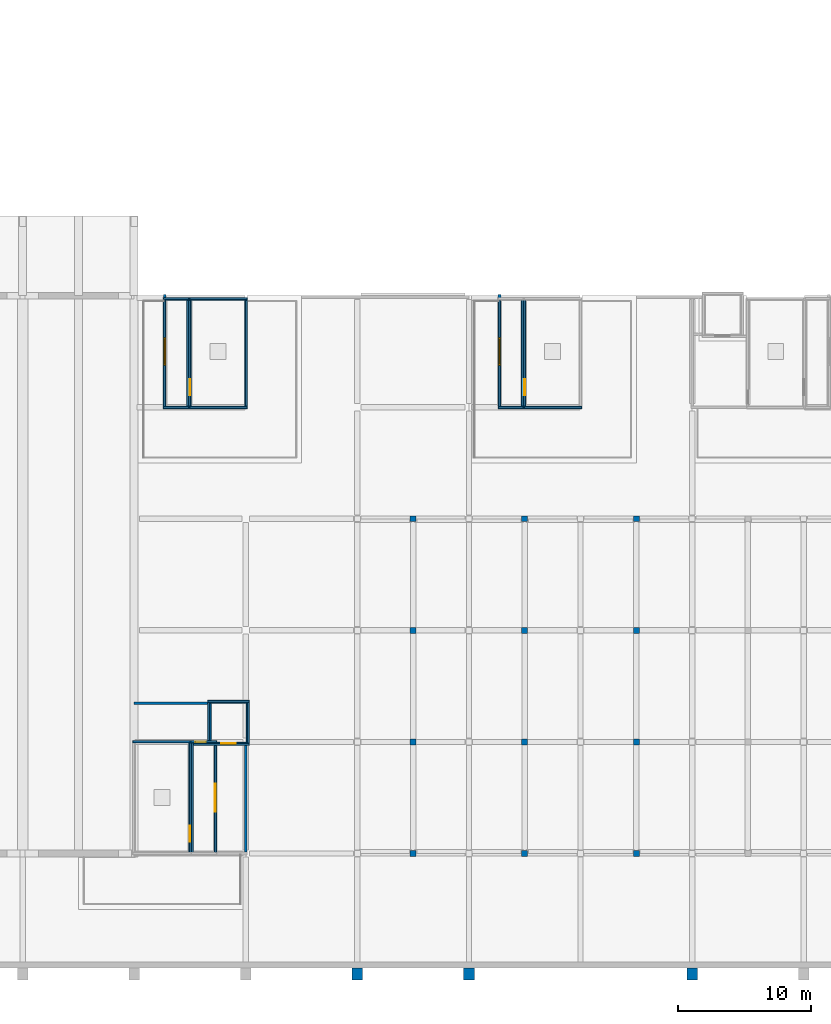
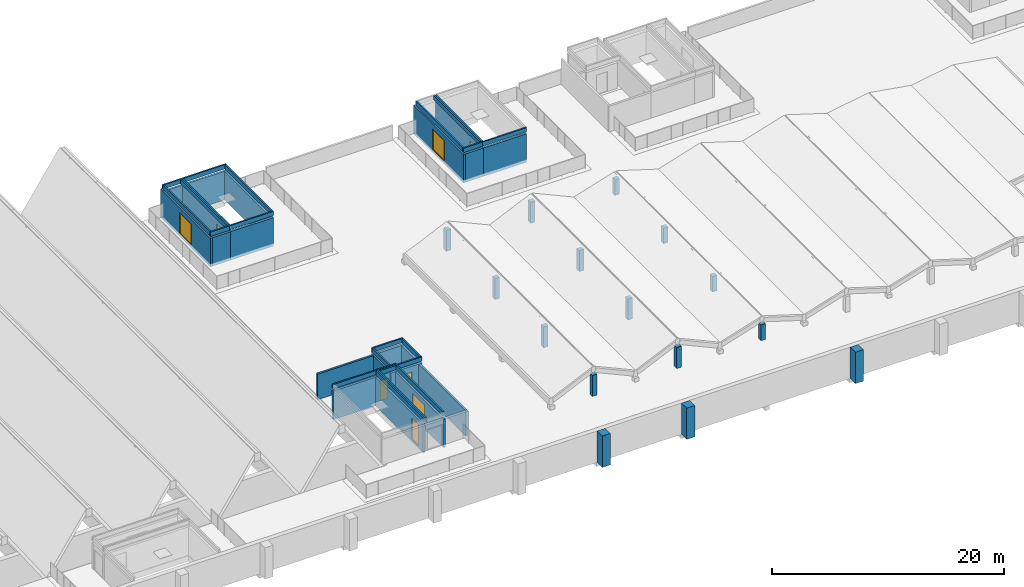
# One storey, part 15 of 24: 58 walls, 8 doors, 8 openings.
"""IFC4 building model written with IfcOpenShell, lengths in metres."""

from ifc_helpers import new_model, si_unit, direction, frame, frame_2d, origin, place, context, subcontext, project, spatial, rectangle, extrude, material, layer, layer_set, type_object, element, fill, save


model = new_model("IFC4")

# Units and contexts
model_context = context("Model", 3, precision=1e-05, world=origin(), true_north=direction((0.0, 1.0)))
body_context = subcontext(model_context, "Body", "Model", "MODEL_VIEW")
ifc_project = project(units=[si_unit("LENGTHUNIT", "METRE"), si_unit("AREAUNIT", "SQUARE_METRE"), si_unit("VOLUMEUNIT", "CUBIC_METRE"), si_unit("PLANEANGLEUNIT", "RADIAN"), si_unit("MASSUNIT", "GRAM", prefix="KILO")], contexts=[model_context])

# Site, building, storey
site_placement = place(None, origin())
site = spatial("IfcSite", under=ifc_project, at=site_placement, CompositionType="ELEMENT")
building_placement = place(site_placement, origin())
building = spatial("IfcBuilding", under=site, at=building_placement, Name="Rulbaag Community and Learning Centre", CompositionType="ELEMENT")
storey_placement = place(building_placement, frame((0.0, 0.0, 14.39990234375)))
storey = spatial("IfcBuildingStorey", under=building, at=storey_placement, Name="L03", CompositionType="ELEMENT", Elevation=14.39990234375)

# Walls
ifc_material_1 = material(Name="Concrete M40", Category="concrete")
ifc_layer_1 = layer(ifc_material_1, 0.800048828125)
ifc_layer_set_1 = layer_set([ifc_layer_1], Name="EW-BTR")
wall_type_1 = type_object("IfcWallType", Name="EW-BTR", PredefinedType="SOLIDWALL", material=ifc_layer_set_1)
for number, where, z_axis, x_axis, name in (
    (1, (100.800048828125, -0.22509765625, -0.2998046875), (0.0, 0.0, 1.0), (0.0, -1.0, 0.0), "Buttress pier"),
    (2, (109.199951171875, -0.22509765625, -0.2998046875), (0.0, 0.0, 1.0), (0.0, -1.0, 0.0), "Buttress pier"),
    (3, (126.0, -0.22509765625, -0.2998046875), (0.0, 0.0, 1.0), (0.0, -1.0, 0.0), "Buttress pier"),
):
    element("IfcWall", number, at=place(storey_placement, frame(where, z_axis=z_axis, x_axis=x_axis)), inside=storey, type_object=wall_type_1, Name=name, PredefinedType="SOLIDWALL", context=body_context, shape_type="SweptSolid", body=[
        extrude(rectangle(XDim=0.89990234375, YDim=0.800048828125, at=frame_2d((0.449951171875, 0.0))), origin(), (0.0, 0.0, 1.0), 3.2998046875),
    ])
ifc_layer_2 = layer(ifc_material_1, 0.14990234375)
ifc_layer_set_2 = layer_set([ifc_layer_2], Name="EW-PAR150")
wall_type_2 = type_object("IfcWallType", Name="EW-PAR150", PredefinedType="PARAPET", material=ifc_layer_set_2)
wall_1_placement = place(storey_placement, frame((83.89990234375, 16.824951171875, 2.900146484375), z_axis=(0.0, 0.0, 1.0), x_axis=(1.0, 0.0, 0.0)))
element("IfcWall", 4, at=wall_1_placement, inside=storey, type_object=wall_type_2, Name="Precast concrete roof upstand with drip nose, head house roofs", PredefinedType="PARAPET", context=body_context, shape_type="SweptSolid", body=[
    extrude(rectangle(XDim=4.400146484375, YDim=0.14990234375, at=frame_2d((2.2001953125, 0.0))), origin(), (0.0, 0.0, 1.0), 0.449951171875),
])
wall_2_placement = place(storey_placement, frame((88.22509765625, 8.449951171875, 2.900146484375), z_axis=(0.0, 0.0, 1.0), x_axis=(0.0, 1.0, 0.0)))
element("IfcWall", 5, at=wall_2_placement, inside=storey, type_object=wall_type_2, Name="Precast concrete roof upstand with drip nose, head house roofs", PredefinedType="PARAPET", context=body_context, shape_type="SweptSolid", body=[
    extrude(rectangle(XDim=8.300048828125, YDim=0.14990234375, at=frame_2d((4.14990234375, 0.0))), origin(), (0.0, 0.0, 1.0), 0.449951171875),
])
wall_3_placement = place(storey_placement, frame((88.300048828125, 16.824951171875, 2.900146484375), z_axis=(0.0, 0.0, 1.0), x_axis=(1.0, 0.0, 0.0)))
element("IfcWall", 6, at=wall_3_placement, inside=storey, type_object=wall_type_2, Name="Precast concrete roof upstand with drip nose, head house roofs", PredefinedType="PARAPET", context=body_context, shape_type="SweptSolid", body=[
    extrude(rectangle(XDim=1.89990234375, YDim=0.14990234375, at=frame_2d((0.949951171875, 0.0))), origin(), (0.0, 0.0, 1.0), 0.449951171875),
])
for number, where, z_axis, x_axis, name in (
    (7, (88.375, 8.449951171875, 2.900146484375), (0.0, 0.0, 1.0), (0.0, 1.0, 0.0), "Precast concrete roof upstand with drip nose, head house roofs"),
    (8, (90.125, 8.449951171875, 2.900146484375), (0.0, 0.0, 1.0), (0.0, 1.0, 0.0), "Precast concrete roof upstand with drip nose, head house roofs"),
):
    element("IfcWall", number, at=place(storey_placement, frame(where, z_axis=z_axis, x_axis=x_axis)), inside=storey, type_object=wall_type_2, Name=name, PredefinedType="PARAPET", context=body_context, shape_type="SweptSolid", body=[
        extrude(rectangle(XDim=8.300048828125, YDim=0.14990234375, at=frame_2d((4.14990234375, 0.0))), origin(), (0.0, 0.0, 1.0), 0.449951171875),
    ])
for number, where, z_axis, x_axis, name in (
    (9, (88.10009765625, 41.97509765625, 2.900146484375), (0.0, 0.0, 1.0), (1.0, 0.0, 0.0), "Precast concrete roof upstand with drip nose, head house roofs"),
    (10, (88.10009765625, 50.14990234375, 2.900146484375), (0.0, 0.0, 1.0), (1.0, 0.0, 0.0), "Precast concrete roof upstand with drip nose, head house roofs"),
):
    element("IfcWall", number, at=place(storey_placement, frame(where, z_axis=z_axis, x_axis=x_axis)), inside=storey, type_object=wall_type_2, Name=name, PredefinedType="PARAPET", context=body_context, shape_type="SweptSolid", body=[
        extrude(rectangle(XDim=4.39990234375, YDim=0.14990234375, at=frame_2d((2.199951171875, 0.0))), origin(), (0.0, 0.0, 1.0), 0.449951171875),
    ])
for number, where, z_axis, x_axis, name in (
    (11, (88.175048828125, 42.050048828125, 2.900146484375), (0.0, 0.0, 1.0), (0.0, 1.0, 0.0), "Precast concrete roof upstand with drip nose, head house roofs"),
    (12, (92.425048828125, 42.050048828125, 2.900146484375), (0.0, 0.0, 1.0), (0.0, 1.0, 0.0), "Precast concrete roof upstand with drip nose, head house roofs"),
):
    element("IfcWall", number, at=place(storey_placement, frame(where, z_axis=z_axis, x_axis=x_axis)), inside=storey, type_object=wall_type_2, Name=name, PredefinedType="PARAPET", context=body_context, shape_type="SweptSolid", body=[
        extrude(rectangle(XDim=8.02490234375, YDim=0.14990234375, at=frame_2d((4.012451171875, 0.0))), origin(), (0.0, 0.0, 1.0), 0.449951171875),
    ])
for number, where, z_axis, x_axis, name in (
    (13, (86.199951171875, 41.97509765625, 2.900146484375), (0.0, 0.0, 1.0), (1.0, 0.0, 0.0), "Precast concrete roof upstand with drip nose, head house roofs"),
    (14, (86.199951171875, 50.14990234375, 2.900146484375), (0.0, 0.0, 1.0), (1.0, 0.0, 0.0), "Precast concrete roof upstand with drip nose, head house roofs"),
):
    element("IfcWall", number, at=place(storey_placement, frame(where, z_axis=z_axis, x_axis=x_axis)), inside=storey, type_object=wall_type_2, Name=name, PredefinedType="PARAPET", context=body_context, shape_type="SweptSolid", body=[
        extrude(rectangle(XDim=1.900146484375, YDim=0.14990234375, at=frame_2d((0.9501953125, 0.0))), origin(), (0.0, 0.0, 1.0), 0.449951171875),
    ])
for number, where, z_axis, x_axis, name in (
    (15, (86.27490234375, 42.050048828125, 2.900146484375), (0.0, 0.0, 1.0), (0.0, 1.0, 0.0), "Precast concrete roof upstand with drip nose, head house roofs"),
    (16, (88.02490234375, 42.050048828125, 2.900146484375), (0.0, 0.0, 1.0), (0.0, 1.0, 0.0), "Precast concrete roof upstand with drip nose, head house roofs"),
):
    element("IfcWall", number, at=place(storey_placement, frame(where, z_axis=z_axis, x_axis=x_axis)), inside=storey, type_object=wall_type_2, Name=name, PredefinedType="PARAPET", context=body_context, shape_type="SweptSolid", body=[
        extrude(rectangle(XDim=8.02490234375, YDim=0.14990234375, at=frame_2d((4.012451171875, 0.0))), origin(), (0.0, 0.0, 1.0), 0.449951171875),
    ])
wall_4_placement = place(storey_placement, frame((113.300048828125, 41.97509765625, 2.900146484375), z_axis=(0.0, 0.0, 1.0), x_axis=(1.0, 0.0, 0.0)))
element("IfcWall", 17, at=wall_4_placement, inside=storey, type_object=wall_type_2, Name="Precast concrete roof upstand with drip nose, head house roofs", PredefinedType="PARAPET", context=body_context, shape_type="SweptSolid", body=[
    extrude(rectangle(XDim=4.39990234375, YDim=0.14990234375, at=frame_2d((2.199951171875, 0.0))), origin(), (0.0, 0.0, 1.0), 0.449951171875),
])
wall_5_placement = place(storey_placement, frame((113.375, 42.050048828125, 2.900146484375), z_axis=(0.0, 0.0, 1.0), x_axis=(0.0, 1.0, 0.0)))
element("IfcWall", 18, at=wall_5_placement, inside=storey, type_object=wall_type_2, Name="Precast concrete roof upstand with drip nose, head house roofs", PredefinedType="PARAPET", context=body_context, shape_type="SweptSolid", body=[
    extrude(rectangle(XDim=8.02490234375, YDim=0.14990234375, at=frame_2d((4.012451171875, 0.0))), origin(), (0.0, 0.0, 1.0), 0.449951171875),
])
wall_6_placement = place(storey_placement, frame((111.39990234375, 41.97509765625, 2.900146484375), z_axis=(0.0, 0.0, 1.0), x_axis=(1.0, 0.0, 0.0)))
element("IfcWall", 19, at=wall_6_placement, inside=storey, type_object=wall_type_2, Name="Precast concrete roof upstand with drip nose, head house roofs", PredefinedType="PARAPET", context=body_context, shape_type="SweptSolid", body=[
    extrude(rectangle(XDim=1.900146484375, YDim=0.14990234375, at=frame_2d((0.9501953125, 0.0))), origin(), (0.0, 0.0, 1.0), 0.449951171875),
])
for number, where, z_axis, x_axis, name in (
    (20, (111.47509765625, 42.050048828125, 2.900146484375), (0.0, 0.0, 1.0), (0.0, 1.0, 0.0), "Precast concrete roof upstand with drip nose, head house roofs"),
    (21, (113.22509765625, 42.050048828125, 2.900146484375), (0.0, 0.0, 1.0), (0.0, 1.0, 0.0), "Precast concrete roof upstand with drip nose, head house roofs"),
):
    element("IfcWall", number, at=place(storey_placement, frame(where, z_axis=z_axis, x_axis=x_axis)), inside=storey, type_object=wall_type_2, Name=name, PredefinedType="PARAPET", context=body_context, shape_type="SweptSolid", body=[
        extrude(rectangle(XDim=8.02490234375, YDim=0.14990234375, at=frame_2d((4.012451171875, 0.0))), origin(), (0.0, 0.0, 1.0), 0.449951171875),
    ])
wall_7_placement = place(storey_placement, frame((88.449951171875, 16.625, 2.900146484375), z_axis=(0.0, 0.0, 1.0), x_axis=(1.0, 0.0, 0.0)))
element("IfcWall", 22, at=wall_7_placement, inside=storey, type_object=wall_type_2, Name="Precast concrete roof upstand with drip nose, head house roofs", PredefinedType="PARAPET", context=body_context, shape_type="SweptSolid", body=[
    extrude(rectangle(XDim=4.199951171875, YDim=0.14990234375, at=frame_2d((2.10009765625, 0.0))), origin(), (0.0, 0.0, 1.0), 0.449951171875),
])
wall_8_placement = place(storey_placement, frame((89.550048828125, 19.875, 2.900146484375), z_axis=(0.0, 0.0, 1.0), x_axis=(1.0, 0.0, 0.0)))
element("IfcWall", 23, at=wall_8_placement, inside=storey, type_object=wall_type_2, Name="Precast concrete roof upstand with drip nose, head house roofs", PredefinedType="PARAPET", context=body_context, shape_type="SweptSolid", body=[
    extrude(rectangle(XDim=3.099853515625, YDim=0.14990234375, at=frame_2d((1.5498046875, 0.0))), origin(), (0.0, 0.0, 1.0), 0.449951171875),
])
for number, where, z_axis, x_axis, name in (
    (24, (89.625, 16.699951171875, 2.900146484375), (0.0, 0.0, 1.0), (0.0, 1.0, 0.0), "Precast concrete roof upstand with drip nose, head house roofs"),
    (25, (92.574951171875, 16.699951171875, 2.900146484375), (0.0, 0.0, 1.0), (0.0, 1.0, 0.0), "Precast concrete roof upstand with drip nose, head house roofs"),
):
    element("IfcWall", number, at=place(storey_placement, frame(where, z_axis=z_axis, x_axis=x_axis)), inside=storey, type_object=wall_type_2, Name=name, PredefinedType="PARAPET", context=body_context, shape_type="SweptSolid", body=[
        extrude(rectangle(XDim=3.10009765625, YDim=0.14990234375, at=frame_2d((1.550048828125, 0.0))), origin(), (0.0, 0.0, 1.0), 0.449951171875),
    ])
ifc_material_2 = material(Name="Concrete blockwork", Category="masonry")
ifc_layer_3 = layer(ifc_material_2, 0.199951171875)
ifc_layer_set_3 = layer_set([ifc_layer_3], Name="FW-200 FIRE WALL 200")
wall_type_3 = type_object("IfcWallType", Name="FW-200 FIRE WALL 200", PredefinedType="SOLIDWALL", material=ifc_layer_set_3)
wall_9_placement = place(storey_placement, frame((84.0, 19.699951171875, 0.0), z_axis=(0.0, 0.0, 1.0), x_axis=(1.0, 0.0, 0.0)))
element("IfcWall", 26, at=wall_9_placement, inside=storey, type_object=wall_type_3, Name="Fire wall L03 2", PredefinedType="SOLIDWALL", context=body_context, shape_type="SweptSolid", body=[
    extrude(rectangle(XDim=5.550048828125, YDim=0.199951171875, at=frame_2d((2.77490234375, 0.0))), origin(), (0.0, 0.0, 1.0), 2.7001953125),
])
wall_10_placement = place(storey_placement, frame((92.39990234375, 8.5, 0.0), z_axis=(0.0, 0.0, 1.0), x_axis=(0.0, 1.0, 0.0)))
element("IfcWall", 27, at=wall_10_placement, inside=storey, type_object=wall_type_3, Name="Fire wall L03 20", PredefinedType="SOLIDWALL", context=body_context, shape_type="SweptSolid", body=[
    extrude(rectangle(XDim=8.300048828125, YDim=0.199951171875, at=frame_2d((4.14990234375, 0.0))), origin(), (0.0, 0.0, 1.0), 2.7001953125),
])
ifc_layer_4 = layer(ifc_material_1, 0.199951171875)
ifc_layer_set_4 = layer_set([ifc_layer_4], Name="W14 Stair head wall 200 Concrete M40")
wall_type_4 = type_object("IfcWallType", Name="W14 Stair head wall 200 Concrete M40", PredefinedType="SHEAR", material=ifc_layer_set_4)
wall_11_placement = place(storey_placement, frame((83.89990234375, 16.800048828125, -0.2998046875), z_axis=(0.0, 0.0, 1.0), x_axis=(1.0, 0.0, 0.0)))
element("IfcWall", 28, at=wall_11_placement, inside=storey, type_object=wall_type_4, Name="WL-HEAD-SH2-N", PredefinedType="SHEAR", context=body_context, shape_type="SweptSolid", body=[
    extrude(rectangle(XDim=4.400146484375, YDim=0.199951171875, at=frame_2d((2.2001953125, 0.0))), origin(), (0.0, 0.0, 1.0), 3.0),
])

# Wall, opening, door
wall_12_placement = place(storey_placement, frame((88.199951171875, 8.5, -0.2998046875), z_axis=(0.0, 0.0, 1.0), x_axis=(0.0, 1.0, 0.0)))
wall_12 = element("IfcWall", 29, at=wall_12_placement, inside=storey, type_object=wall_type_4, Name="WL-HEAD-SH2-E", PredefinedType="SHEAR", context=body_context, shape_type="SweptSolid", body=[
    extrude(rectangle(XDim=8.199951171875, YDim=0.199951171875, at=frame_2d((4.10009765625, 0.0))), origin(), (0.0, 0.0, 1.0), 3.0),
])
opening_1_placement = place(wall_12_placement, frame((0.800048828125, 0.0, 0.300048828125)))
opening_1 = element("IfcOpeningElement", 30, at=opening_1_placement, cuts=wall_12, Name="Opening L03-D017", PredefinedType="OPENING", context=body_context, shape_type="SweptSolid", body=[
    extrude(rectangle(XDim=1.199951171875, YDim=2.199951171875, at=frame_2d((0.60009765625, 1.10009765625))), frame((0.0, 0.10986328125, 0.0), z_axis=(0.0, -1.0, 0.0), x_axis=(1.0, 0.0, 0.0)), (0.0, 0.0, 1.0), 0.219970703125),
])
ifc_material_3 = material(Name="Galvanised steel", Category="steel")
door_type_1 = type_object("IfcDoorType", Name="DT-12", OperationType="SINGLE_SWING_LEFT", PredefinedType="DOOR", material=ifc_material_3)
door_1_placement = place(opening_1_placement, origin())
door_1 = element("IfcDoor", 31, at=door_1_placement, inside=storey, type_object=door_type_1, Name="Lobby door L3", OperationType="SINGLE_SWING_LEFT", OverallHeight=2.199951171875, OverallWidth=1.199951171875, PredefinedType="DOOR", context=body_context, shape_type="SweptSolid", body=[
    extrude(rectangle(XDim=1.199951171875, YDim=2.199951171875, at=frame_2d((0.60009765625, 1.10009765625))), frame((0.0, 0.02490234375, 0.0), z_axis=(0.0, -1.0, 0.0), x_axis=(1.0, 0.0, 0.0)), (0.0, 0.0, 1.0), 0.050048828125),
])
fill(opening_1, door_1)

wall_13_placement = place(storey_placement, frame((88.199951171875, 16.800048828125, -0.2998046875), z_axis=(0.0, 0.0, 1.0), x_axis=(1.0, 0.0, 0.0)))
wall_13 = element("IfcWall", 32, at=wall_13_placement, inside=storey, type_object=wall_type_4, Name="WL-LOBBY-SH2-N", PredefinedType="SHEAR", context=body_context, shape_type="SweptSolid", body=[
    extrude(rectangle(XDim=1.35009765625, YDim=0.199951171875, at=frame_2d((0.675048828125, 0.0))), origin(), (0.0, 0.0, 1.0), 3.0),
])
opening_2_placement = place(wall_13_placement, frame((0.39990234375, 0.0, 0.300048828125)))
opening_2 = element("IfcOpeningElement", 33, at=opening_2_placement, cuts=wall_13, Name="Opening L03-D019", PredefinedType="OPENING", context=body_context, shape_type="SweptSolid", body=[
    extrude(rectangle(XDim=0.800048828125, YDim=2.10009765625, at=frame_2d((0.39990234375, 1.050048828125))), frame((0.0, 0.10986328125, 0.0), z_axis=(0.0, -1.0, 0.0), x_axis=(1.0, 0.0, 0.0)), (0.0, 0.0, 1.0), 0.219970703125),
])
door_type_2 = type_object("IfcDoorType", Name="FDR-800 RISER FIRE DOOR 800 x 2100", OperationType="SINGLE_SWING_LEFT", PredefinedType="DOOR", material=ifc_material_3)
door_2_placement = place(opening_2_placement, origin())
door_2 = element("IfcDoor", 34, at=door_2_placement, inside=storey, type_object=door_type_2, Name="Riser door L03-D017", OperationType="SINGLE_SWING_RIGHT", OverallHeight=2.10009765625, OverallWidth=0.800048828125, PredefinedType="DOOR", context=body_context, shape_type="SweptSolid", body=[
    extrude(rectangle(XDim=0.800048828125, YDim=2.10009765625, at=frame_2d((0.39990234375, 1.050048828125))), frame((0.0, 0.02490234375, 0.0), z_axis=(0.0, -1.0, 0.0), x_axis=(1.0, 0.0, 0.0)), (0.0, 0.0, 1.0), 0.050048828125),
])
fill(opening_2, door_2)

wall_14_placement = place(storey_placement, frame((90.10009765625, 8.300048828125, -0.2998046875), z_axis=(0.0, 0.0, 1.0), x_axis=(0.0, 1.0, 0.0)))
wall_14 = element("IfcWall", 35, at=wall_14_placement, inside=storey, type_object=wall_type_4, Name="WL-LOBBY-SH2-O", PredefinedType="SHEAR", context=body_context, shape_type="SweptSolid", body=[
    extrude(rectangle(XDim=8.599853515625, YDim=0.199951171875, at=frame_2d((4.2998046875, 0.0))), origin(), (0.0, 0.0, 1.0), 3.0),
])
opening_3_placement = place(wall_14_placement, frame((3.25, 0.0, 0.300048828125)))
opening_3 = element("IfcOpeningElement", 36, at=opening_3_placement, cuts=wall_14, Name="Opening L03-D021", PredefinedType="OPENING", context=body_context, shape_type="SweptSolid", body=[
    extrude(rectangle(XDim=2.10009765625, YDim=2.199951171875, at=frame_2d((1.050048828125, 1.10009765625))), frame((0.0, 0.10986328125, 0.0), z_axis=(0.0, -1.0, 0.0), x_axis=(1.0, 0.0, 0.0)), (0.0, 0.0, 1.0), 0.219970703125),
])
door_type_3 = type_object("IfcDoorType", Name="DX-21", OperationType="DOUBLE_DOOR_SINGLE_SWING", PredefinedType="DOOR", material=ifc_material_3)
door_3_placement = place(opening_3_placement, origin())
door_3 = element("IfcDoor", 37, at=door_3_placement, inside=storey, type_object=door_type_3, Name="Door L03-D021", OperationType="DOUBLE_DOOR_SINGLE_SWING", OverallHeight=2.199951171875, OverallWidth=2.10009765625, PredefinedType="DOOR", context=body_context, shape_type="SweptSolid", body=[
    extrude(rectangle(XDim=2.10009765625, YDim=2.199951171875, at=frame_2d((1.050048828125, 1.10009765625))), frame((0.0, 0.02490234375, 0.0), z_axis=(0.0, -1.0, 0.0), x_axis=(1.0, 0.0, 0.0)), (0.0, 0.0, 1.0), 0.050048828125),
])
fill(opening_3, door_3)

# Walls
for number, where, z_axis, x_axis, name in (
    (38, (88.10009765625, 42.0, -0.2998046875), (0.0, 0.0, 1.0), (1.0, 0.0, 0.0), "WL-HEAD-SH6-S"),
    (39, (88.10009765625, 50.125, -0.2998046875), (0.0, 0.0, 1.0), (1.0, 0.0, 0.0), "WL-HEAD-SH6-N"),
):
    element("IfcWall", number, at=place(storey_placement, frame(where, z_axis=z_axis, x_axis=x_axis)), inside=storey, type_object=wall_type_4, Name=name, PredefinedType="SHEAR", context=body_context, shape_type="SweptSolid", body=[
        extrude(rectangle(XDim=4.39990234375, YDim=0.199951171875, at=frame_2d((2.199951171875, 0.0))), origin(), (0.0, 0.0, 1.0), 3.0),
    ])

# Wall, opening, door
wall_15_placement = place(storey_placement, frame((88.199951171875, 42.10009765625, -0.2998046875), z_axis=(0.0, 0.0, 1.0), x_axis=(0.0, 1.0, 0.0)))
wall_15 = element("IfcWall", 40, at=wall_15_placement, inside=storey, type_object=wall_type_4, Name="WL-HEAD-SH6-W", PredefinedType="SHEAR", context=body_context, shape_type="SweptSolid", body=[
    extrude(rectangle(XDim=7.9248046875, YDim=0.199951171875, at=frame_2d((3.96240234375, 0.0))), origin(), (0.0, 0.0, 1.0), 3.0),
])
opening_4_placement = place(wall_15_placement, frame((0.800048828125, 0.0, 0.300048828125)))
opening_4 = element("IfcOpeningElement", 41, at=opening_4_placement, cuts=wall_15, Name="Opening L03-D018", PredefinedType="OPENING", context=body_context, shape_type="SweptSolid", body=[
    extrude(rectangle(XDim=1.199951171875, YDim=2.199951171875, at=frame_2d((0.60009765625, 1.10009765625))), frame((0.0, 0.10986328125, 0.0), z_axis=(0.0, -1.0, 0.0), x_axis=(1.0, 0.0, 0.0)), (0.0, 0.0, 1.0), 0.219970703125),
])
door_4_placement = place(opening_4_placement, origin())
door_4 = element("IfcDoor", 42, at=door_4_placement, inside=storey, type_object=door_type_1, Name="Lobby door L7", OperationType="SINGLE_SWING_RIGHT", OverallHeight=2.199951171875, OverallWidth=1.199951171875, PredefinedType="DOOR", context=body_context, shape_type="SweptSolid", body=[
    extrude(rectangle(XDim=1.199951171875, YDim=2.199951171875, at=frame_2d((0.60009765625, 1.10009765625))), frame((0.0, 0.02490234375, 0.0), z_axis=(0.0, -1.0, 0.0), x_axis=(1.0, 0.0, 0.0)), (0.0, 0.0, 1.0), 0.050048828125),
])
fill(opening_4, door_4)

# Walls
wall_16_placement = place(storey_placement, frame((92.39990234375, 42.10009765625, -0.2998046875), z_axis=(0.0, 0.0, 1.0), x_axis=(0.0, 1.0, 0.0)))
element("IfcWall", 43, at=wall_16_placement, inside=storey, type_object=wall_type_4, Name="WL-HEAD-SH6-E", PredefinedType="SHEAR", context=body_context, shape_type="SweptSolid", body=[
    extrude(rectangle(XDim=7.9248046875, YDim=0.199951171875, at=frame_2d((3.96240234375, 0.0))), origin(), (0.0, 0.0, 1.0), 3.0),
])
for number, where, z_axis, x_axis, name in (
    (44, (88.199951171875, 42.0, -0.2998046875), (0.0, 0.0, 1.0), (-1.0, 0.0, 0.0), "WL-LOBBY-SH6-S"),
    (45, (88.199951171875, 50.125, -0.2998046875), (0.0, 0.0, 1.0), (-1.0, 0.0, 0.0), "WL-LOBBY-SH6-N"),
):
    element("IfcWall", number, at=place(storey_placement, frame(where, z_axis=z_axis, x_axis=x_axis)), inside=storey, type_object=wall_type_4, Name=name, PredefinedType="SHEAR", context=body_context, shape_type="SweptSolid", body=[
        extrude(rectangle(XDim=1.89990234375, YDim=0.199951171875, at=frame_2d((0.949951171875, 0.0))), origin(), (0.0, 0.0, 1.0), 3.0),
    ])

# Wall, opening, door
wall_17_placement = place(storey_placement, frame((86.300048828125, 41.89990234375, -0.2998046875), z_axis=(0.0, 0.0, 1.0), x_axis=(0.0, 1.0, 0.0)))
wall_17 = element("IfcWall", 46, at=wall_17_placement, inside=storey, type_object=wall_type_4, Name="WL-LOBBY-SH6-O", PredefinedType="SHEAR", context=body_context, shape_type="SweptSolid", body=[
    extrude(rectangle(XDim=8.60009765625, YDim=0.199951171875, at=frame_2d((4.300048828125, 0.0))), origin(), (0.0, 0.0, 1.0), 3.0),
])
opening_5_placement = place(wall_17_placement, frame((3.25, 0.0, 0.300048828125)))
opening_5 = element("IfcOpeningElement", 47, at=opening_5_placement, cuts=wall_17, Name="Opening L03-D016", PredefinedType="OPENING", context=body_context, shape_type="SweptSolid", body=[
    extrude(rectangle(XDim=2.10009765625, YDim=2.199951171875, at=frame_2d((1.050048828125, 1.10009765625))), frame((0.0, 0.10986328125, 0.0), z_axis=(0.0, -1.0, 0.0), x_axis=(1.0, 0.0, 0.0)), (0.0, 0.0, 1.0), 0.219970703125),
])
door_5_placement = place(opening_5_placement, origin())
door_5 = element("IfcDoor", 48, at=door_5_placement, inside=storey, type_object=door_type_3, Name="Terrace door T7", OperationType="DOUBLE_DOOR_SINGLE_SWING", OverallHeight=2.199951171875, OverallWidth=2.10009765625, PredefinedType="DOOR", context=body_context, shape_type="SweptSolid", body=[
    extrude(rectangle(XDim=2.10009765625, YDim=0.012939453125, at=frame_2d((1.050048828125, 0.006591796875))), frame((0.0, 0.087890625, 0.0), z_axis=(0.0, -1.0, 0.0), x_axis=(1.0, 0.0, 0.0)), (0.0, 0.0, 1.0), 0.176025390625),
    extrude(rectangle(XDim=0.074951171875, YDim=2.112060546875, at=frame_2d((0.03759765625, 1.069091796875))), frame((0.0, 0.09814453125, 0.0), z_axis=(0.0, -1.0, 0.0), x_axis=(1.0, 0.0, 0.0)), (0.0, 0.0, 1.0), 0.196044921875),
    extrude(rectangle(XDim=0.074951171875, YDim=2.112060546875, at=frame_2d((2.0625, 1.069091796875))), frame((0.0, 0.09814453125, 0.0), z_axis=(0.0, -1.0, 0.0), x_axis=(1.0, 0.0, 0.0)), (0.0, 0.0, 1.0), 0.196044921875),
    extrude(rectangle(XDim=2.10009765625, YDim=0.074951171875, at=frame_2d((1.050048828125, 2.16259765625))), frame((0.0, 0.087890625, 0.0), z_axis=(0.0, -1.0, 0.0), x_axis=(1.0, 0.0, 0.0)), (0.0, 0.0, 1.0), 0.176025390625),
    extrude(rectangle(XDim=1.9501953125, YDim=2.112060546875, at=frame_2d((1.050048828125, 1.069091796875))), frame((0.0, 0.02490234375, 0.0), z_axis=(0.0, -1.0, 0.0), x_axis=(1.0, 0.0, 0.0)), (0.0, 0.0, 1.0), 0.050048828125),
])
fill(opening_5, door_5)

# Wall
wall_18_placement = place(storey_placement, frame((113.300048828125, 42.0, -0.2998046875), z_axis=(0.0, 0.0, 1.0), x_axis=(1.0, 0.0, 0.0)))
element("IfcWall", 49, at=wall_18_placement, inside=storey, type_object=wall_type_4, Name="WL-HEAD-SH7-S", PredefinedType="SHEAR", context=body_context, shape_type="SweptSolid", body=[
    extrude(rectangle(XDim=4.39990234375, YDim=0.199951171875, at=frame_2d((2.199951171875, 0.0))), origin(), (0.0, 0.0, 1.0), 3.0),
])

# Wall, opening, door
wall_19_placement = place(storey_placement, frame((113.39990234375, 42.10009765625, -0.2998046875), z_axis=(0.0, 0.0, 1.0), x_axis=(0.0, 1.0, 0.0)))
wall_19 = element("IfcWall", 50, at=wall_19_placement, inside=storey, type_object=wall_type_4, Name="WL-HEAD-SH7-W", PredefinedType="SHEAR", context=body_context, shape_type="SweptSolid", body=[
    extrude(rectangle(XDim=7.9248046875, YDim=0.199951171875, at=frame_2d((3.96240234375, 0.0))), origin(), (0.0, 0.0, 1.0), 3.0),
])
opening_6_placement = place(wall_19_placement, frame((0.800048828125, 0.0, 0.300048828125)))
opening_6 = element("IfcOpeningElement", 51, at=opening_6_placement, cuts=wall_19, Name="Opening L03-D024", PredefinedType="OPENING", context=body_context, shape_type="SweptSolid", body=[
    extrude(rectangle(XDim=1.199951171875, YDim=2.199951171875, at=frame_2d((0.60009765625, 1.10009765625))), frame((0.0, 0.10986328125, 0.0), z_axis=(0.0, -1.0, 0.0), x_axis=(1.0, 0.0, 0.0)), (0.0, 0.0, 1.0), 0.219970703125),
])
door_6_placement = place(opening_6_placement, origin())
door_6 = element("IfcDoor", 52, at=door_6_placement, inside=storey, type_object=door_type_1, Name="Lobby door L8", OperationType="SINGLE_SWING_RIGHT", OverallHeight=2.199951171875, OverallWidth=1.199951171875, PredefinedType="DOOR", context=body_context, shape_type="SweptSolid", body=[
    extrude(rectangle(XDim=1.199951171875, YDim=2.199951171875, at=frame_2d((0.60009765625, 1.10009765625))), frame((0.0, 0.02490234375, 0.0), z_axis=(0.0, -1.0, 0.0), x_axis=(1.0, 0.0, 0.0)), (0.0, 0.0, 1.0), 0.050048828125),
])
fill(opening_6, door_6)

# Wall
wall_20_placement = place(storey_placement, frame((113.39990234375, 42.0, -0.2998046875), z_axis=(0.0, 0.0, 1.0), x_axis=(-1.0, 0.0, 0.0)))
element("IfcWall", 53, at=wall_20_placement, inside=storey, type_object=wall_type_4, Name="WL-LOBBY-SH7-S", PredefinedType="SHEAR", context=body_context, shape_type="SweptSolid", body=[
    extrude(rectangle(XDim=1.89990234375, YDim=0.199951171875, at=frame_2d((0.949951171875, 0.0))), origin(), (0.0, 0.0, 1.0), 3.0),
])

# Wall, opening, door
wall_21_placement = place(storey_placement, frame((111.5, 41.89990234375, -0.2998046875), z_axis=(0.0, 0.0, 1.0), x_axis=(0.0, 1.0, 0.0)))
wall_21 = element("IfcWall", 54, at=wall_21_placement, inside=storey, type_object=wall_type_4, Name="WL-LOBBY-SH7-O", PredefinedType="SHEAR", context=body_context, shape_type="SweptSolid", body=[
    extrude(rectangle(XDim=8.60009765625, YDim=0.199951171875, at=frame_2d((4.300048828125, 0.0))), origin(), (0.0, 0.0, 1.0), 3.0),
])
opening_7_placement = place(wall_21_placement, frame((3.25, 0.0, 0.300048828125)))
opening_7 = element("IfcOpeningElement", 55, at=opening_7_placement, cuts=wall_21, Name="Opening L03-D023", PredefinedType="OPENING", context=body_context, shape_type="SweptSolid", body=[
    extrude(rectangle(XDim=2.10009765625, YDim=2.199951171875, at=frame_2d((1.050048828125, 1.10009765625))), frame((0.0, 0.10986328125, 0.0), z_axis=(0.0, -1.0, 0.0), x_axis=(1.0, 0.0, 0.0)), (0.0, 0.0, 1.0), 0.219970703125),
])
door_7_placement = place(opening_7_placement, origin())
door_7 = element("IfcDoor", 56, at=door_7_placement, inside=storey, type_object=door_type_3, Name="Terrace door T8", OperationType="DOUBLE_DOOR_SINGLE_SWING", OverallHeight=2.199951171875, OverallWidth=2.10009765625, PredefinedType="DOOR", context=body_context, shape_type="SweptSolid", body=[
    extrude(rectangle(XDim=2.10009765625, YDim=0.012939453125, at=frame_2d((1.050048828125, 0.006591796875))), frame((0.0, 0.087890625, 0.0), z_axis=(0.0, -1.0, 0.0), x_axis=(1.0, 0.0, 0.0)), (0.0, 0.0, 1.0), 0.176025390625),
    extrude(rectangle(XDim=0.074951171875, YDim=2.112060546875, at=frame_2d((0.03759765625, 1.069091796875))), frame((0.0, 0.09814453125, 0.0), z_axis=(0.0, -1.0, 0.0), x_axis=(1.0, 0.0, 0.0)), (0.0, 0.0, 1.0), 0.196044921875),
    extrude(rectangle(XDim=0.074951171875, YDim=2.112060546875, at=frame_2d((2.0625, 1.069091796875))), frame((0.0, 0.09814453125, 0.0), z_axis=(0.0, -1.0, 0.0), x_axis=(1.0, 0.0, 0.0)), (0.0, 0.0, 1.0), 0.196044921875),
    extrude(rectangle(XDim=2.10009765625, YDim=0.074951171875, at=frame_2d((1.050048828125, 2.16259765625))), frame((0.0, 0.087890625, 0.0), z_axis=(0.0, -1.0, 0.0), x_axis=(1.0, 0.0, 0.0)), (0.0, 0.0, 1.0), 0.176025390625),
    extrude(rectangle(XDim=1.9501953125, YDim=2.112060546875, at=frame_2d((1.050048828125, 1.069091796875))), frame((0.0, 0.02490234375, 0.0), z_axis=(0.0, -1.0, 0.0), x_axis=(1.0, 0.0, 0.0)), (0.0, 0.0, 1.0), 0.050048828125),
])
fill(opening_7, door_7)

# Walls
ifc_layer_5 = layer(ifc_material_1, 0.449951171875)
ifc_layer_set_5 = layer_set([ifc_layer_5], Name="W15 Roof fold pier 450 Concrete M40")
wall_type_5 = type_object("IfcWallType", Name="W15 Roof fold pier 450 Concrete M40", PredefinedType="SHEAR", material=ifc_layer_set_5)
for number, where, z_axis, x_axis, name in (
    (57, (105.0, 8.175048828125, 0.0), (0.0, 0.0, 1.0), (0.0, 1.0, 0.0), "WL-RF-RB13-1-1"),
    (58, (105.0, 16.574951171875, 0.0), (0.0, 0.0, 1.0), (0.0, 1.0, 0.0), "WL-RF-RB13-1-2"),
    (59, (105.0, 24.97509765625, 0.0), (0.0, 0.0, 1.0), (0.0, 1.0, 0.0), "WL-RF-RB13-1-3"),
    (60, (105.0, 33.375, 0.0), (0.0, 0.0, 1.0), (0.0, 1.0, 0.0), "WL-RF-RB13-1-4"),
    (61, (113.39990234375, 8.175048828125, 0.0), (0.0, 0.0, 1.0), (0.0, 1.0, 0.0), "WL-RF-RB13-2-1"),
    (62, (113.39990234375, 16.574951171875, 0.0), (0.0, 0.0, 1.0), (0.0, 1.0, 0.0), "WL-RF-RB13-2-2"),
    (63, (113.39990234375, 24.97509765625, 0.0), (0.0, 0.0, 1.0), (0.0, 1.0, 0.0), "WL-RF-RB13-2-3"),
    (64, (113.39990234375, 33.375, 0.0), (0.0, 0.0, 1.0), (0.0, 1.0, 0.0), "WL-RF-RB13-2-4"),
):
    element("IfcWall", number, at=place(storey_placement, frame(where, z_axis=z_axis, x_axis=x_axis)), inside=storey, type_object=wall_type_5, Name=name, PredefinedType="SHEAR", context=body_context, shape_type="SweptSolid", body=[
        extrude(rectangle(XDim=0.449951171875, YDim=0.449951171875, at=frame_2d((0.22509765625, 0.0))), origin(), (0.0, 0.0, 1.0), 2.209716796875),
    ])
for number, where, z_axis, x_axis, name in (
    (65, (121.800048828125, 8.175048828125, 0.0), (0.0, 0.0, 1.0), (0.0, 1.0, 0.0), "WL-RF-RB13-3-1"),
    (66, (121.800048828125, 16.574951171875, 0.0), (0.0, 0.0, 1.0), (0.0, 1.0, 0.0), "WL-RF-RB13-3-2"),
    (67, (121.800048828125, 24.97509765625, 0.0), (0.0, 0.0, 1.0), (0.0, 1.0, 0.0), "WL-RF-RB13-3-3"),
    (68, (121.800048828125, 33.375, 0.0), (0.0, 0.0, 1.0), (0.0, 1.0, 0.0), "WL-RF-RB13-3-4"),
):
    element("IfcWall", number, at=place(storey_placement, frame(where, z_axis=z_axis, x_axis=x_axis)), inside=storey, type_object=wall_type_5, Name=name, PredefinedType="SHEAR", context=body_context, shape_type="SweptSolid", body=[
        extrude(rectangle(XDim=0.449951171875, YDim=0.449951171875, at=frame_2d((0.22509765625, 0.0))), origin(), (0.0, 0.0, 1.0), 1.63818359375),
    ])

# Wall, opening, door
ifc_layer_6 = layer(ifc_material_1, 0.25)
ifc_layer_set_6 = layer_set([ifc_layer_6], Name="W8 Lift shaft wall 250 Concrete M40")
wall_type_6 = type_object("IfcWallType", Name="W8 Lift shaft wall 250 Concrete M40", PredefinedType="SHEAR", material=ifc_layer_set_6)
wall_22_placement = place(storey_placement, frame((89.550048828125, 16.675048828125, -0.2998046875), z_axis=(0.0, 0.0, 1.0), x_axis=(1.0, 0.0, 0.0)))
wall_22 = element("IfcWall", 69, at=wall_22_placement, inside=storey, type_object=wall_type_6, Name="WL-LH2-S-L03", PredefinedType="SHEAR", context=body_context, shape_type="SweptSolid", body=[
    extrude(rectangle(XDim=3.099853515625, YDim=0.25, at=frame_2d((1.5498046875, 0.0))), origin(), (0.0, 0.0, 1.0), 3.0),
])
opening_8_placement = place(wall_22_placement, frame((1.0, 0.0, 0.300048828125)))
opening_8 = element("IfcOpeningElement", 70, at=opening_8_placement, cuts=wall_22, Name="Opening L03-D022", PredefinedType="OPENING", context=body_context, shape_type="SweptSolid", body=[
    extrude(rectangle(XDim=1.10009765625, YDim=2.10009765625, at=frame_2d((0.550048828125, 1.050048828125))), frame((0.0, 0.135009765625, 0.0), z_axis=(0.0, -1.0, 0.0), x_axis=(1.0, 0.0, 0.0)), (0.0, 0.0, 1.0), 0.27001953125),
])
ifc_material_4 = material(Name="Stainless steel grade 304", Category="steel")
door_type_4 = type_object("IfcDoorType", Name="LD-1100 LIFT LANDING DOOR 1100 x 2100", OperationType="SLIDING_TO_LEFT", PredefinedType="DOOR", material=ifc_material_4)
door_8_placement = place(opening_8_placement, origin())
door_8 = element("IfcDoor", 71, at=door_8_placement, inside=storey, type_object=door_type_4, Name="Lift landing door LH2 L03", OperationType="SLIDING_TO_LEFT", OverallHeight=2.10009765625, OverallWidth=1.10009765625, PredefinedType="DOOR", context=body_context, shape_type="SweptSolid", body=[
    extrude(rectangle(XDim=1.10009765625, YDim=2.10009765625, at=frame_2d((0.550048828125, 1.050048828125))), frame((0.0, 0.02490234375, 0.0), z_axis=(0.0, -1.0, 0.0), x_axis=(1.0, 0.0, 0.0)), (0.0, 0.0, 1.0), 0.050048828125),
])
fill(opening_8, door_8)

# Walls
wall_23_placement = place(storey_placement, frame((89.550048828125, 19.824951171875, -0.2998046875), z_axis=(0.0, 0.0, 1.0), x_axis=(1.0, 0.0, 0.0)))
element("IfcWall", 72, at=wall_23_placement, inside=storey, type_object=wall_type_6, Name="WL-LH2-N-L03", PredefinedType="SHEAR", context=body_context, shape_type="SweptSolid", body=[
    extrude(rectangle(XDim=3.099853515625, YDim=0.25, at=frame_2d((1.5498046875, 0.0))), origin(), (0.0, 0.0, 1.0), 3.0),
])
for number, where, z_axis, x_axis, name in (
    (73, (89.675048828125, 16.800048828125, -0.2998046875), (0.0, 0.0, 1.0), (0.0, 1.0, 0.0), "WL-LH2-W-L03"),
    (74, (92.52490234375, 16.800048828125, -0.2998046875), (0.0, 0.0, 1.0), (0.0, 1.0, 0.0), "WL-LH2-E-L03"),
):
    element("IfcWall", number, at=place(storey_placement, frame(where, z_axis=z_axis, x_axis=x_axis)), inside=storey, type_object=wall_type_6, Name=name, PredefinedType="SHEAR", context=body_context, shape_type="SweptSolid", body=[
        extrude(rectangle(XDim=2.89990234375, YDim=0.25, at=frame_2d((1.449951171875, 0.0))), origin(), (0.0, 0.0, 1.0), 3.0),
    ])

save(model, "model.ifc")
